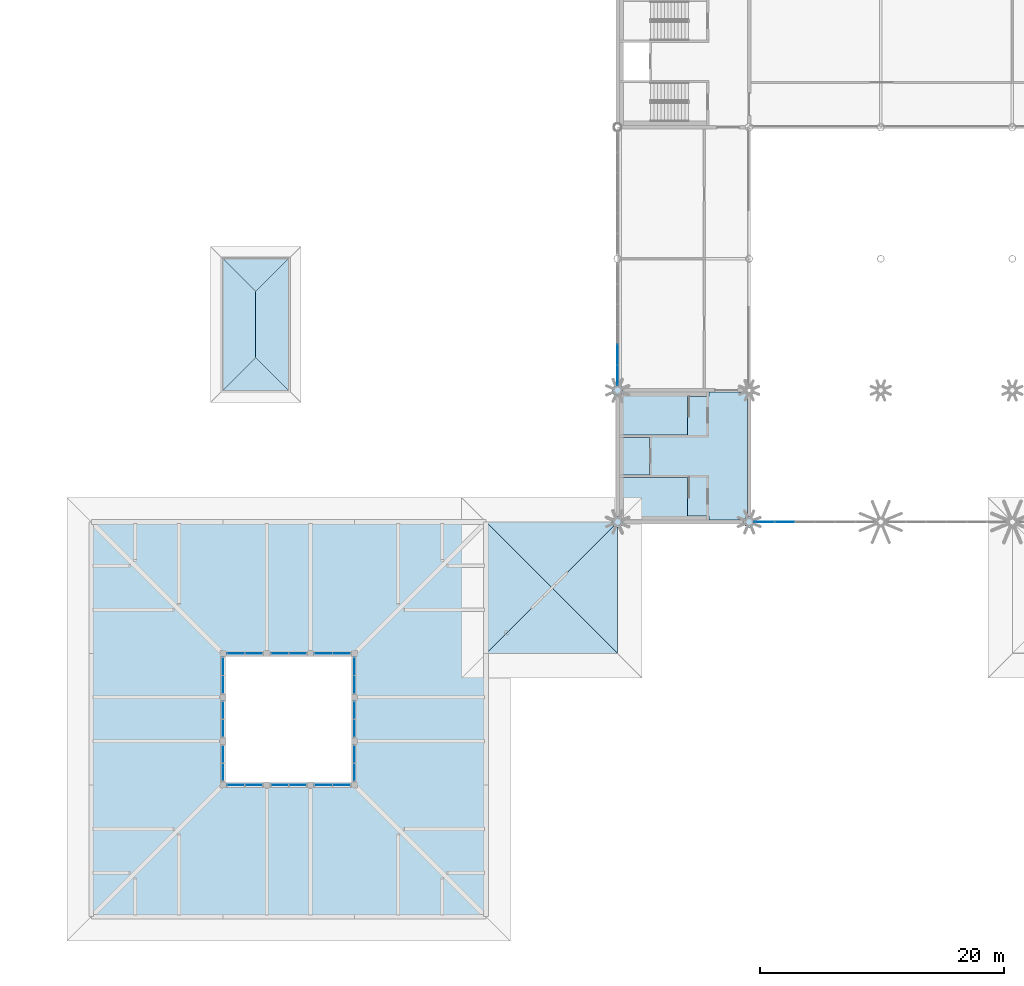
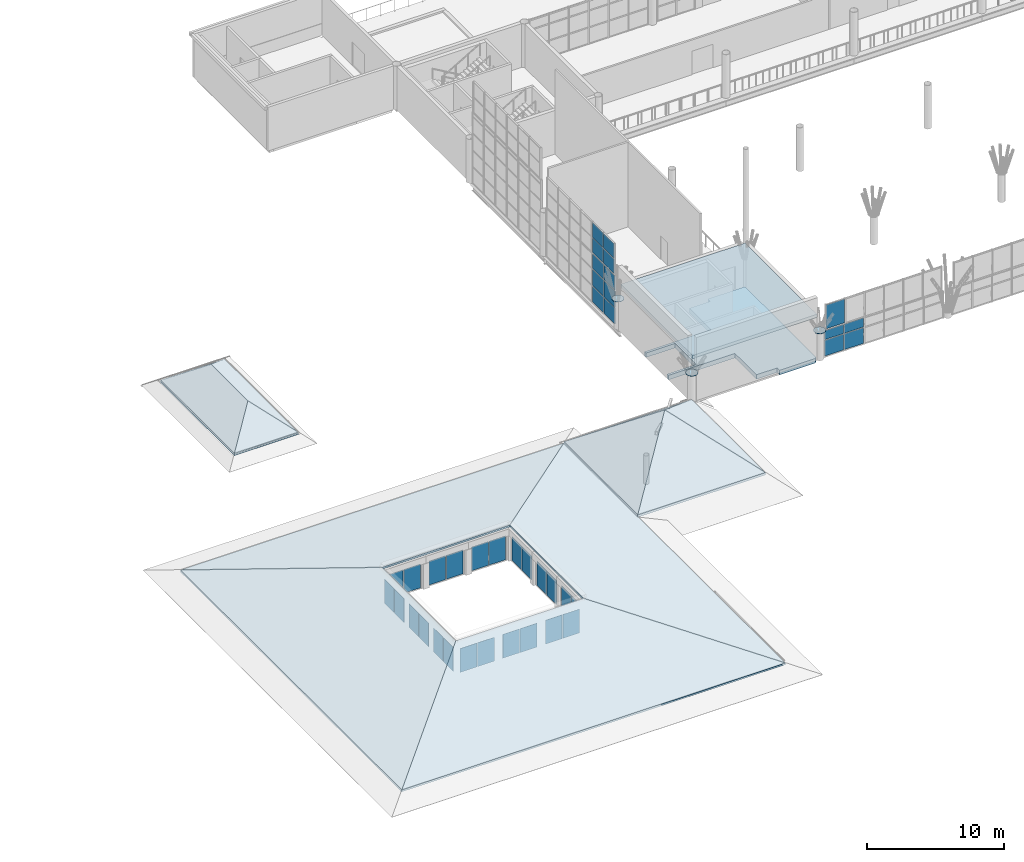
# One storey, part 46 of 95: 42 plates, 14 slabs, 16 elements without a shape of their own.
"""IFC4 building model written with IfcOpenShell, lengths in metres."""

from ifc_helpers import new_model, si_unit, direction, frame, origin, origin_2d, place, context, subcontext, project, spatial, polyline, rectangle, circle, outline, extrude, material, layer, layer_set, material_profile, profile_set, type_object, element, aggregate, save


model = new_model("IFC4")

# Units and contexts
model_context = context("Model", 3, precision=1e-05, world=origin(), true_north=direction((0.0, 1.0)))
body_context = subcontext(model_context, "Body", "Model", "MODEL_VIEW")
ifc_project = project(units=[si_unit("LENGTHUNIT", "METRE"), si_unit("AREAUNIT", "SQUARE_METRE"), si_unit("VOLUMEUNIT", "CUBIC_METRE"), si_unit("PLANEANGLEUNIT", "RADIAN"), si_unit("MASSUNIT", "GRAM", prefix="KILO")], contexts=[model_context])

# Site, building, storey
site_placement = place(None, origin())
site = spatial("IfcSite", under=ifc_project, at=site_placement, CompositionType="ELEMENT")
building_placement = place(site_placement, origin())
building = spatial("IfcBuilding", under=site, at=building_placement, Name="Magnolia Steps Interchange", CompositionType="ELEMENT")
storey_placement = place(building_placement, frame((0.0, 0.0, 4.800048828125)))
storey = spatial("IfcBuildingStorey", under=building, at=storey_placement, Name="L01", CompositionType="ELEMENT", Elevation=4.800048828125)

# Slabs
ifc_material_1 = material(Name="Concrete C35", Category="concrete")
ifc_layer_1 = layer(ifc_material_1, 0.39990234375)
ifc_layer_set_1 = layer_set([ifc_layer_1], Name="Core floor slab 400")
slab_type_1 = type_object("IfcSlabType", Name="Core floor slab 400", PredefinedType="FLOOR", material=ifc_layer_set_1)
slab_1_placement = place(storey_placement, frame((0.0, 0.0, -0.400146484375)))
element("IfcSlab", 1, at=slab_1_placement, inside=storey, type_object=slab_type_1, Name="L01 core floor HC3", PredefinedType="FLOOR", context=body_context, shape_type="SweptSolid", body=[
    extrude(outline(polyline([(58.949951171875, 42.89990234375), (58.949951171875, 46.050048828125), (53.35009765625, 46.050048828125), (53.35009765625, 46.25), (55.800048828125, 46.25), (55.800048828125, 49.35009765625), (53.35009765625, 49.35009765625), (53.35009765625, 49.550048828125), (58.949951171875, 49.550048828125), (58.949951171875, 52.699951171875), (60.699951171875, 52.699951171875), (60.699951171875, 53.050048828125), (63.764404296875, 53.050048828125), (63.767578125, 53.044677734375), (63.783935546875, 53.022705078125), (63.80224609375, 53.00244140625), (63.82275390625, 52.98388671875), (63.8447265625, 52.967529296875), (63.85009765625, 52.96435546875), (63.85009765625, 42.665283203125), (63.83056640625, 42.653564453125), (63.806396484375, 42.6357421875), (63.784423828125, 42.61572265625), (63.76416015625, 42.593505859375), (63.746337890625, 42.5693359375), (63.73486328125, 42.550048828125), (60.699951171875, 42.550048828125), (60.699951171875, 42.89990234375), (58.949951171875, 42.89990234375)])), origin(), (0.0, 0.0, 1.0), 0.400146484375),
])
ifc_material_2 = material(Name="Concrete C35", Category="concrete")
ifc_layer_2 = layer(ifc_material_2, 0.300048828125)
ifc_layer_set_2 = layer_set([ifc_layer_2], Name="Core roof slab")
slab_type_2 = type_object("IfcSlabType", Name="Core roof slab", PredefinedType="ROOF", material=ifc_layer_set_2)
slab_2_placement = place(storey_placement, frame((0.0, 0.0, 3.599853515625)))
element("IfcSlab", 2, at=slab_2_placement, inside=storey, type_object=slab_type_2, Name="HC3 core roof", PredefinedType="ROOF", context=body_context, shape_type="SweptSolid", body=[
    extrude(outline(polyline([(53.35009765625, 42.550048828125), (53.35009765625, 53.050048828125), (63.85009765625, 53.050048828125), (63.85009765625, 42.550048828125), (53.35009765625, 42.550048828125)])), origin(), (0.0, 0.0, 1.0), 0.300048828125),
])

# Curtain wall, plates
ifc_material_3 = material(Name="Powder-coated aluminium and glass", Category="aluminium")
ifc_layer_3 = layer(ifc_material_3, 0.14990234375)
ifc_layer_set_3 = layer_set([ifc_layer_3], Name="Glazed hall curtain wall")
curtain_wall_type_1 = type_object("IfcCurtainWallType", Name="Glazed hall curtain wall", PredefinedType="NOTDEFINED", material=ifc_layer_set_3)
curtain_wall_1_placement = place(storey_placement, origin())
curtain_wall_1 = element("IfcCurtainWall", 3, at=curtain_wall_1_placement, inside=storey, type_object=curtain_wall_type_1, Name="Hall glazing S2 L01", PredefinedType="NOTDEFINED")
ifc_material_4 = material(Name="Laminated glass", Category="glass")
ifc_layer_4 = layer(ifc_material_4, 0.028076171875)
ifc_layer_set_4 = layer_set([ifc_layer_4], Name="Glass panel 28")
plate_type_1 = type_object("IfcPlateType", Name="Glass panel 28", PredefinedType="CURTAIN_PANEL", material=ifc_layer_set_4)
plate_1_placement = place(storey_placement, frame((65.215087890625, 42.39990234375, 0.06005859375), z_axis=(0.0, 0.0, 1.0), x_axis=(1.0, 0.0, 0.0)))
plate_1 = element("IfcPlate", 4, at=plate_1_placement, type_object=plate_type_1, Name="CW1 panel 1.1", PredefinedType="CURTAIN_PANEL", context=body_context, shape_type="SweptSolid", body=[
    extrude(rectangle(XDim=1.590087890625, YDim=0.028076171875, at=origin_2d()), origin(), (0.0, 0.0, 1.0), 1.409912109375),
])
plate_2_placement = place(storey_placement, frame((65.215087890625, 42.39990234375, 1.530029296875), z_axis=(0.0, 0.0, 1.0), x_axis=(1.0, 0.0, 0.0)))
plate_2 = element("IfcPlate", 5, at=plate_2_placement, type_object=plate_type_1, Name="CW1 panel 1.2", PredefinedType="CURTAIN_PANEL", context=body_context, shape_type="SweptSolid", body=[
    extrude(rectangle(XDim=1.590087890625, YDim=0.028076171875, at=origin_2d()), origin(), (0.0, 0.0, 1.0), 0.81005859375),
])
plate_3_placement = place(storey_placement, frame((66.8798828125, 42.39990234375, 0.06005859375), z_axis=(0.0, 0.0, 1.0), x_axis=(1.0, 0.0, 0.0)))
plate_3 = element("IfcPlate", 6, at=plate_3_placement, type_object=plate_type_1, Name="CW1 panel 2.1", PredefinedType="CURTAIN_PANEL", context=body_context, shape_type="SweptSolid", body=[
    extrude(rectangle(XDim=1.6201171875, YDim=0.028076171875, at=origin_2d()), origin(), (0.0, 0.0, 1.0), 1.409912109375),
])
plate_4_placement = place(storey_placement, frame((66.8798828125, 42.39990234375, 1.530029296875), z_axis=(0.0, 0.0, 1.0), x_axis=(1.0, 0.0, 0.0)))
plate_4 = element("IfcPlate", 7, at=plate_4_placement, type_object=plate_type_1, Name="CW1 panel 2.2", PredefinedType="CURTAIN_PANEL", context=body_context, shape_type="SweptSolid", body=[
    extrude(rectangle(XDim=1.6201171875, YDim=0.028076171875, at=origin_2d()), origin(), (0.0, 0.0, 1.0), 0.81005859375),
])
aggregate(curtain_wall_1, [plate_1, plate_2, plate_3, plate_4])

# Curtain wall, plate
ifc_material_5 = material(Name="Powder-coated aluminium and glass", Category="aluminium")
ifc_layer_5 = layer(ifc_material_5, 0.1201171875)
ifc_layer_set_5 = layer_set([ifc_layer_5], Name="Hall clerestory curtain wall")
curtain_wall_type_2 = type_object("IfcCurtainWallType", Name="Hall clerestory curtain wall", PredefinedType="NOTDEFINED", material=ifc_layer_set_5)
curtain_wall_2_placement = place(storey_placement, origin())
curtain_wall_2 = element("IfcCurtainWall", 8, at=curtain_wall_2_placement, inside=storey, type_object=curtain_wall_type_2, Name="Hall clerestory S2", PredefinedType="NOTDEFINED")
plate_5_placement = place(storey_placement, frame((65.31494140625, 42.39990234375, 2.4599609375), z_axis=(0.0, 0.0, 1.0), x_axis=(1.0, 0.0, 0.0)))
plate_5 = element("IfcPlate", 9, at=plate_5_placement, type_object=plate_type_1, Name="CW6 panel 1.1", PredefinedType="CURTAIN_PANEL", context=body_context, shape_type="SweptSolid", body=[
    extrude(rectangle(XDim=1.550048828125, YDim=0.028076171875, at=origin_2d()), origin(), (0.0, 0.0, 1.0), 2.12890625),
])
aggregate(curtain_wall_2, [plate_5])

# Curtain wall, plates
curtain_wall_3_placement = place(storey_placement, origin())
curtain_wall_3 = element("IfcCurtainWall", 10, at=curtain_wall_3_placement, inside=storey, type_object=curtain_wall_type_1, Name="Hall glazing W2 L01", PredefinedType="NOTDEFINED")
plate_6_placement = place(storey_placement, frame((53.199951171875, 54.4150390625, 0.06005859375), z_axis=(0.0, 0.0, 1.0), x_axis=(0.0, 1.0, 0.0)))
plate_6 = element("IfcPlate", 11, at=plate_6_placement, type_object=plate_type_1, Name="CW1 panel 1.1", PredefinedType="CURTAIN_PANEL", context=body_context, shape_type="SweptSolid", body=[
    extrude(rectangle(XDim=1.590087890625, YDim=0.028076171875, at=origin_2d()), origin(), (0.0, 0.0, 1.0), 1.409912109375),
])
plate_7_placement = place(storey_placement, frame((53.199951171875, 54.4150390625, 1.530029296875), z_axis=(0.0, 0.0, 1.0), x_axis=(0.0, 1.0, 0.0)))
plate_7 = element("IfcPlate", 12, at=plate_7_placement, type_object=plate_type_1, Name="CW1 panel 1.2", PredefinedType="CURTAIN_PANEL", context=body_context, shape_type="SweptSolid", body=[
    extrude(rectangle(XDim=1.590087890625, YDim=0.028076171875, at=origin_2d()), origin(), (0.0, 0.0, 1.0), 1.43994140625),
])
plate_8_placement = place(storey_placement, frame((53.199951171875, 54.4150390625, 3.030029296875), z_axis=(0.0, 0.0, 1.0), x_axis=(0.0, 1.0, 0.0)))
plate_8 = element("IfcPlate", 13, at=plate_8_placement, type_object=plate_type_1, Name="CW1 panel 1.3", PredefinedType="CURTAIN_PANEL", context=body_context, shape_type="SweptSolid", body=[
    extrude(rectangle(XDim=1.590087890625, YDim=0.028076171875, at=origin_2d()), origin(), (0.0, 0.0, 1.0), 1.31005859375),
])
plate_9_placement = place(storey_placement, frame((53.199951171875, 56.080078125, 0.06005859375), z_axis=(0.0, 0.0, 1.0), x_axis=(0.0, 1.0, 0.0)))
plate_9 = element("IfcPlate", 14, at=plate_9_placement, type_object=plate_type_1, Name="CW1 panel 2.1", PredefinedType="CURTAIN_PANEL", context=body_context, shape_type="SweptSolid", body=[
    extrude(rectangle(XDim=1.6201171875, YDim=0.028076171875, at=origin_2d()), origin(), (0.0, 0.0, 1.0), 1.409912109375),
])
plate_10_placement = place(storey_placement, frame((53.199951171875, 56.080078125, 1.530029296875), z_axis=(0.0, 0.0, 1.0), x_axis=(0.0, 1.0, 0.0)))
plate_10 = element("IfcPlate", 15, at=plate_10_placement, type_object=plate_type_1, Name="CW1 panel 2.2", PredefinedType="CURTAIN_PANEL", context=body_context, shape_type="SweptSolid", body=[
    extrude(rectangle(XDim=1.6201171875, YDim=0.028076171875, at=origin_2d()), origin(), (0.0, 0.0, 1.0), 1.43994140625),
])
plate_11_placement = place(storey_placement, frame((53.199951171875, 56.080078125, 3.030029296875), z_axis=(0.0, 0.0, 1.0), x_axis=(0.0, 1.0, 0.0)))
plate_11 = element("IfcPlate", 16, at=plate_11_placement, type_object=plate_type_1, Name="CW1 panel 2.3", PredefinedType="CURTAIN_PANEL", context=body_context, shape_type="SweptSolid", body=[
    extrude(rectangle(XDim=1.6201171875, YDim=0.028076171875, at=origin_2d()), origin(), (0.0, 0.0, 1.0), 1.31005859375),
])
aggregate(curtain_wall_3, [plate_6, plate_7, plate_8, plate_9, plate_10, plate_11])

curtain_wall_4_placement = place(storey_placement, origin())
curtain_wall_4 = element("IfcCurtainWall", 17, at=curtain_wall_4_placement, inside=storey, type_object=curtain_wall_type_2, Name="Hall clerestory W2", PredefinedType="NOTDEFINED")
plate_12_placement = place(storey_placement, frame((53.199951171875, 54.514892578125, 4.4599609375), z_axis=(0.0, 0.0, 1.0), x_axis=(0.0, 1.0, 0.0)))
plate_12 = element("IfcPlate", 18, at=plate_12_placement, type_object=plate_type_1, Name="CW6 panel 1.1", PredefinedType="CURTAIN_PANEL", context=body_context, shape_type="SweptSolid", body=[
    extrude(rectangle(XDim=1.550048828125, YDim=0.028076171875, at=origin_2d()), origin(), (0.0, 0.0, 1.0), 1.31005859375),
])
plate_13_placement = place(storey_placement, frame((53.199951171875, 54.514892578125, 5.829833984375), z_axis=(0.0, 0.0, 1.0), x_axis=(0.0, 1.0, 0.0)))
plate_13 = element("IfcPlate", 19, at=plate_13_placement, type_object=plate_type_1, Name="CW6 panel 1.2", PredefinedType="CURTAIN_PANEL", context=body_context, shape_type="SweptSolid", body=[
    extrude(rectangle(XDim=1.550048828125, YDim=0.028076171875, at=origin_2d()), origin(), (0.0, 0.0, 1.0), 1.31005859375),
])
plate_14_placement = place(storey_placement, frame((53.199951171875, 56.139892578125, 4.4599609375), z_axis=(0.0, 0.0, 1.0), x_axis=(0.0, 1.0, 0.0)))
plate_14 = element("IfcPlate", 20, at=plate_14_placement, type_object=plate_type_1, Name="CW6 panel 2.1", PredefinedType="CURTAIN_PANEL", context=body_context, shape_type="SweptSolid", body=[
    extrude(rectangle(XDim=1.580078125, YDim=0.028076171875, at=origin_2d()), origin(), (0.0, 0.0, 1.0), 1.31005859375),
])
plate_15_placement = place(storey_placement, frame((53.199951171875, 56.139892578125, 5.829833984375), z_axis=(0.0, 0.0, 1.0), x_axis=(0.0, 1.0, 0.0)))
plate_15 = element("IfcPlate", 21, at=plate_15_placement, type_object=plate_type_1, Name="CW6 panel 2.2", PredefinedType="CURTAIN_PANEL", context=body_context, shape_type="SweptSolid", body=[
    extrude(rectangle(XDim=1.580078125, YDim=0.028076171875, at=origin_2d()), origin(), (0.0, 0.0, 1.0), 1.31005859375),
])
aggregate(curtain_wall_4, [plate_12, plate_13, plate_14, plate_15])

ifc_material_6 = material(Name="Timber-framed glazing", Category="wood")
ifc_layer_6 = layer(ifc_material_6, 0.10009765625)
ifc_layer_set_6 = layer_set([ifc_layer_6], Name="Patio clerestory curtain wall")
curtain_wall_type_3 = type_object("IfcCurtainWallType", Name="Patio clerestory curtain wall", PredefinedType="NOTDEFINED", material=ifc_layer_set_6)
curtain_wall_5_placement = place(storey_placement, origin())
curtain_wall_5 = element("IfcCurtainWall", 22, at=curtain_wall_5_placement, inside=storey, type_object=curtain_wall_type_3, Name="Patio clerestory glazing S1", PredefinedType="NOTDEFINED")
plate_16_placement = place(storey_placement, frame((21.864990234375, 20.800048828125, 0.06005859375), z_axis=(0.0, 0.0, 1.0), x_axis=(1.0, 0.0, 0.0)))
plate_16 = element("IfcPlate", 23, at=plate_16_placement, type_object=plate_type_1, Name="CW4 panel 1.1", PredefinedType="CURTAIN_PANEL", context=body_context, shape_type="SweptSolid", body=[
    extrude(rectangle(XDim=1.409912109375, YDim=0.028076171875, at=origin_2d()), origin(), (0.0, 0.0, 1.0), 2.1298828125),
])
plate_17_placement = place(storey_placement, frame((23.3349609375, 20.800048828125, 0.06005859375), z_axis=(0.0, 0.0, 1.0), x_axis=(1.0, 0.0, 0.0)))
plate_17 = element("IfcPlate", 24, at=plate_17_placement, type_object=plate_type_1, Name="CW4 panel 2.1", PredefinedType="CURTAIN_PANEL", context=body_context, shape_type="SweptSolid", body=[
    extrude(rectangle(XDim=1.409912109375, YDim=0.028076171875, at=origin_2d()), origin(), (0.0, 0.0, 1.0), 2.1298828125),
])
aggregate(curtain_wall_5, [plate_16, plate_17])

curtain_wall_6_placement = place(storey_placement, origin())
curtain_wall_6 = element("IfcCurtainWall", 25, at=curtain_wall_6_placement, inside=storey, type_object=curtain_wall_type_3, Name="Patio clerestory glazing S2", PredefinedType="NOTDEFINED")
plate_18_placement = place(storey_placement, frame((25.465087890625, 20.800048828125, 0.06005859375), z_axis=(0.0, 0.0, 1.0), x_axis=(1.0, 0.0, 0.0)))
plate_18 = element("IfcPlate", 26, at=plate_18_placement, type_object=plate_type_1, Name="CW4 panel 1.1", PredefinedType="CURTAIN_PANEL", context=body_context, shape_type="SweptSolid", body=[
    extrude(rectangle(XDim=1.409912109375, YDim=0.028076171875, at=origin_2d()), origin(), (0.0, 0.0, 1.0), 2.1298828125),
])
plate_19_placement = place(storey_placement, frame((26.93505859375, 20.800048828125, 0.06005859375), z_axis=(0.0, 0.0, 1.0), x_axis=(1.0, 0.0, 0.0)))
plate_19 = element("IfcPlate", 27, at=plate_19_placement, type_object=plate_type_1, Name="CW4 panel 2.1", PredefinedType="CURTAIN_PANEL", context=body_context, shape_type="SweptSolid", body=[
    extrude(rectangle(XDim=1.409912109375, YDim=0.028076171875, at=origin_2d()), origin(), (0.0, 0.0, 1.0), 2.1298828125),
])
aggregate(curtain_wall_6, [plate_18, plate_19])

curtain_wall_7_placement = place(storey_placement, origin())
curtain_wall_7 = element("IfcCurtainWall", 28, at=curtain_wall_7_placement, inside=storey, type_object=curtain_wall_type_3, Name="Patio clerestory glazing S3", PredefinedType="NOTDEFINED")
plate_20_placement = place(storey_placement, frame((29.06494140625, 20.800048828125, 0.06005859375), z_axis=(0.0, 0.0, 1.0), x_axis=(1.0, 0.0, 0.0)))
plate_20 = element("IfcPlate", 29, at=plate_20_placement, type_object=plate_type_1, Name="CW4 panel 1.1", PredefinedType="CURTAIN_PANEL", context=body_context, shape_type="SweptSolid", body=[
    extrude(rectangle(XDim=1.409912109375, YDim=0.028076171875, at=origin_2d()), origin(), (0.0, 0.0, 1.0), 2.1298828125),
])
plate_21_placement = place(storey_placement, frame((30.534912109375, 20.800048828125, 0.06005859375), z_axis=(0.0, 0.0, 1.0), x_axis=(1.0, 0.0, 0.0)))
plate_21 = element("IfcPlate", 30, at=plate_21_placement, type_object=plate_type_1, Name="CW4 panel 2.1", PredefinedType="CURTAIN_PANEL", context=body_context, shape_type="SweptSolid", body=[
    extrude(rectangle(XDim=1.409912109375, YDim=0.028076171875, at=origin_2d()), origin(), (0.0, 0.0, 1.0), 2.1298828125),
])
aggregate(curtain_wall_7, [plate_20, plate_21])

curtain_wall_8_placement = place(storey_placement, origin())
curtain_wall_8 = element("IfcCurtainWall", 31, at=curtain_wall_8_placement, inside=storey, type_object=curtain_wall_type_3, Name="Patio clerestory glazing E1", PredefinedType="NOTDEFINED")
plate_22_placement = place(storey_placement, frame((31.60009765625, 21.864990234375, 0.06005859375), z_axis=(0.0, 0.0, 1.0), x_axis=(0.0, 1.0, 0.0)))
plate_22 = element("IfcPlate", 32, at=plate_22_placement, type_object=plate_type_1, Name="CW4 panel 1.1", PredefinedType="CURTAIN_PANEL", context=body_context, shape_type="SweptSolid", body=[
    extrude(rectangle(XDim=1.409912109375, YDim=0.028076171875, at=origin_2d()), origin(), (0.0, 0.0, 1.0), 2.1298828125),
])
plate_23_placement = place(storey_placement, frame((31.60009765625, 23.3349609375, 0.06005859375), z_axis=(0.0, 0.0, 1.0), x_axis=(0.0, 1.0, 0.0)))
plate_23 = element("IfcPlate", 33, at=plate_23_placement, type_object=plate_type_1, Name="CW4 panel 2.1", PredefinedType="CURTAIN_PANEL", context=body_context, shape_type="SweptSolid", body=[
    extrude(rectangle(XDim=1.409912109375, YDim=0.028076171875, at=origin_2d()), origin(), (0.0, 0.0, 1.0), 2.1298828125),
])
aggregate(curtain_wall_8, [plate_22, plate_23])

curtain_wall_9_placement = place(storey_placement, origin())
curtain_wall_9 = element("IfcCurtainWall", 34, at=curtain_wall_9_placement, inside=storey, type_object=curtain_wall_type_3, Name="Patio clerestory glazing E2", PredefinedType="NOTDEFINED")
plate_24_placement = place(storey_placement, frame((31.60009765625, 25.465087890625, 0.06005859375), z_axis=(0.0, 0.0, 1.0), x_axis=(0.0, 1.0, 0.0)))
plate_24 = element("IfcPlate", 35, at=plate_24_placement, type_object=plate_type_1, Name="CW4 panel 1.1", PredefinedType="CURTAIN_PANEL", context=body_context, shape_type="SweptSolid", body=[
    extrude(rectangle(XDim=1.409912109375, YDim=0.028076171875, at=origin_2d()), origin(), (0.0, 0.0, 1.0), 2.1298828125),
])
plate_25_placement = place(storey_placement, frame((31.60009765625, 26.93505859375, 0.06005859375), z_axis=(0.0, 0.0, 1.0), x_axis=(0.0, 1.0, 0.0)))
plate_25 = element("IfcPlate", 36, at=plate_25_placement, type_object=plate_type_1, Name="CW4 panel 2.1", PredefinedType="CURTAIN_PANEL", context=body_context, shape_type="SweptSolid", body=[
    extrude(rectangle(XDim=1.409912109375, YDim=0.028076171875, at=origin_2d()), origin(), (0.0, 0.0, 1.0), 2.1298828125),
])
aggregate(curtain_wall_9, [plate_24, plate_25])

curtain_wall_10_placement = place(storey_placement, origin())
curtain_wall_10 = element("IfcCurtainWall", 37, at=curtain_wall_10_placement, inside=storey, type_object=curtain_wall_type_3, Name="Patio clerestory glazing E3", PredefinedType="NOTDEFINED")
plate_26_placement = place(storey_placement, frame((31.60009765625, 29.06494140625, 0.06005859375), z_axis=(0.0, 0.0, 1.0), x_axis=(0.0, 1.0, 0.0)))
plate_26 = element("IfcPlate", 38, at=plate_26_placement, type_object=plate_type_1, Name="CW4 panel 1.1", PredefinedType="CURTAIN_PANEL", context=body_context, shape_type="SweptSolid", body=[
    extrude(rectangle(XDim=1.409912109375, YDim=0.028076171875, at=origin_2d()), origin(), (0.0, 0.0, 1.0), 2.1298828125),
])
plate_27_placement = place(storey_placement, frame((31.60009765625, 30.534912109375, 0.06005859375), z_axis=(0.0, 0.0, 1.0), x_axis=(0.0, 1.0, 0.0)))
plate_27 = element("IfcPlate", 39, at=plate_27_placement, type_object=plate_type_1, Name="CW4 panel 2.1", PredefinedType="CURTAIN_PANEL", context=body_context, shape_type="SweptSolid", body=[
    extrude(rectangle(XDim=1.409912109375, YDim=0.028076171875, at=origin_2d()), origin(), (0.0, 0.0, 1.0), 2.1298828125),
])
aggregate(curtain_wall_10, [plate_26, plate_27])

curtain_wall_11_placement = place(storey_placement, origin())
curtain_wall_11 = element("IfcCurtainWall", 40, at=curtain_wall_11_placement, inside=storey, type_object=curtain_wall_type_3, Name="Patio clerestory glazing N1", PredefinedType="NOTDEFINED")
plate_28_placement = place(storey_placement, frame((30.534912109375, 31.60009765625, 0.06005859375), z_axis=(0.0, 0.0, 1.0), x_axis=(-1.0, 0.0, 0.0)))
plate_28 = element("IfcPlate", 41, at=plate_28_placement, type_object=plate_type_1, Name="CW4 panel 1.1", PredefinedType="CURTAIN_PANEL", context=body_context, shape_type="SweptSolid", body=[
    extrude(rectangle(XDim=1.409912109375, YDim=0.028076171875, at=origin_2d()), origin(), (0.0, 0.0, 1.0), 2.1298828125),
])
plate_29_placement = place(storey_placement, frame((29.06494140625, 31.60009765625, 0.06005859375), z_axis=(0.0, 0.0, 1.0), x_axis=(-1.0, 0.0, 0.0)))
plate_29 = element("IfcPlate", 42, at=plate_29_placement, type_object=plate_type_1, Name="CW4 panel 2.1", PredefinedType="CURTAIN_PANEL", context=body_context, shape_type="SweptSolid", body=[
    extrude(rectangle(XDim=1.409912109375, YDim=0.028076171875, at=origin_2d()), origin(), (0.0, 0.0, 1.0), 2.1298828125),
])
aggregate(curtain_wall_11, [plate_28, plate_29])

curtain_wall_12_placement = place(storey_placement, origin())
curtain_wall_12 = element("IfcCurtainWall", 43, at=curtain_wall_12_placement, inside=storey, type_object=curtain_wall_type_3, Name="Patio clerestory glazing N2", PredefinedType="NOTDEFINED")
plate_30_placement = place(storey_placement, frame((26.93505859375, 31.60009765625, 0.06005859375), z_axis=(0.0, 0.0, 1.0), x_axis=(-1.0, 0.0, 0.0)))
plate_30 = element("IfcPlate", 44, at=plate_30_placement, type_object=plate_type_1, Name="CW4 panel 1.1", PredefinedType="CURTAIN_PANEL", context=body_context, shape_type="SweptSolid", body=[
    extrude(rectangle(XDim=1.409912109375, YDim=0.028076171875, at=origin_2d()), origin(), (0.0, 0.0, 1.0), 2.1298828125),
])
plate_31_placement = place(storey_placement, frame((25.465087890625, 31.60009765625, 0.06005859375), z_axis=(0.0, 0.0, 1.0), x_axis=(-1.0, 0.0, 0.0)))
plate_31 = element("IfcPlate", 45, at=plate_31_placement, type_object=plate_type_1, Name="CW4 panel 2.1", PredefinedType="CURTAIN_PANEL", context=body_context, shape_type="SweptSolid", body=[
    extrude(rectangle(XDim=1.409912109375, YDim=0.028076171875, at=origin_2d()), origin(), (0.0, 0.0, 1.0), 2.1298828125),
])
aggregate(curtain_wall_12, [plate_30, plate_31])

curtain_wall_13_placement = place(storey_placement, origin())
curtain_wall_13 = element("IfcCurtainWall", 46, at=curtain_wall_13_placement, inside=storey, type_object=curtain_wall_type_3, Name="Patio clerestory glazing N3", PredefinedType="NOTDEFINED")
plate_32_placement = place(storey_placement, frame((23.3349609375, 31.60009765625, 0.06005859375), z_axis=(0.0, 0.0, 1.0), x_axis=(-1.0, 0.0, 0.0)))
plate_32 = element("IfcPlate", 47, at=plate_32_placement, type_object=plate_type_1, Name="CW4 panel 1.1", PredefinedType="CURTAIN_PANEL", context=body_context, shape_type="SweptSolid", body=[
    extrude(rectangle(XDim=1.409912109375, YDim=0.028076171875, at=origin_2d()), origin(), (0.0, 0.0, 1.0), 2.1298828125),
])
plate_33_placement = place(storey_placement, frame((21.864990234375, 31.60009765625, 0.06005859375), z_axis=(0.0, 0.0, 1.0), x_axis=(-1.0, 0.0, 0.0)))
plate_33 = element("IfcPlate", 48, at=plate_33_placement, type_object=plate_type_1, Name="CW4 panel 2.1", PredefinedType="CURTAIN_PANEL", context=body_context, shape_type="SweptSolid", body=[
    extrude(rectangle(XDim=1.409912109375, YDim=0.028076171875, at=origin_2d()), origin(), (0.0, 0.0, 1.0), 2.1298828125),
])
aggregate(curtain_wall_13, [plate_32, plate_33])

curtain_wall_14_placement = place(storey_placement, origin())
curtain_wall_14 = element("IfcCurtainWall", 49, at=curtain_wall_14_placement, inside=storey, type_object=curtain_wall_type_3, Name="Patio clerestory glazing W1", PredefinedType="NOTDEFINED")
plate_34_placement = place(storey_placement, frame((20.800048828125, 30.534912109375, 0.06005859375), z_axis=(0.0, 0.0, 1.0), x_axis=(0.0, -1.0, 0.0)))
plate_34 = element("IfcPlate", 50, at=plate_34_placement, type_object=plate_type_1, Name="CW4 panel 1.1", PredefinedType="CURTAIN_PANEL", context=body_context, shape_type="SweptSolid", body=[
    extrude(rectangle(XDim=1.409912109375, YDim=0.028076171875, at=origin_2d()), origin(), (0.0, 0.0, 1.0), 2.1298828125),
])
plate_35_placement = place(storey_placement, frame((20.800048828125, 29.06494140625, 0.06005859375), z_axis=(0.0, 0.0, 1.0), x_axis=(0.0, -1.0, 0.0)))
plate_35 = element("IfcPlate", 51, at=plate_35_placement, type_object=plate_type_1, Name="CW4 panel 2.1", PredefinedType="CURTAIN_PANEL", context=body_context, shape_type="SweptSolid", body=[
    extrude(rectangle(XDim=1.409912109375, YDim=0.028076171875, at=origin_2d()), origin(), (0.0, 0.0, 1.0), 2.1298828125),
])
aggregate(curtain_wall_14, [plate_34, plate_35])

curtain_wall_15_placement = place(storey_placement, origin())
curtain_wall_15 = element("IfcCurtainWall", 52, at=curtain_wall_15_placement, inside=storey, type_object=curtain_wall_type_3, Name="Patio clerestory glazing W2", PredefinedType="NOTDEFINED")
plate_36_placement = place(storey_placement, frame((20.800048828125, 26.93505859375, 0.06005859375), z_axis=(0.0, 0.0, 1.0), x_axis=(0.0, -1.0, 0.0)))
plate_36 = element("IfcPlate", 53, at=plate_36_placement, type_object=plate_type_1, Name="CW4 panel 1.1", PredefinedType="CURTAIN_PANEL", context=body_context, shape_type="SweptSolid", body=[
    extrude(rectangle(XDim=1.409912109375, YDim=0.028076171875, at=origin_2d()), origin(), (0.0, 0.0, 1.0), 2.1298828125),
])
plate_37_placement = place(storey_placement, frame((20.800048828125, 25.465087890625, 0.06005859375), z_axis=(0.0, 0.0, 1.0), x_axis=(0.0, -1.0, 0.0)))
plate_37 = element("IfcPlate", 54, at=plate_37_placement, type_object=plate_type_1, Name="CW4 panel 2.1", PredefinedType="CURTAIN_PANEL", context=body_context, shape_type="SweptSolid", body=[
    extrude(rectangle(XDim=1.409912109375, YDim=0.028076171875, at=origin_2d()), origin(), (0.0, 0.0, 1.0), 2.1298828125),
])
aggregate(curtain_wall_15, [plate_36, plate_37])

curtain_wall_16_placement = place(storey_placement, origin())
curtain_wall_16 = element("IfcCurtainWall", 55, at=curtain_wall_16_placement, inside=storey, type_object=curtain_wall_type_3, Name="Patio clerestory glazing W3", PredefinedType="NOTDEFINED")
plate_38_placement = place(storey_placement, frame((20.800048828125, 23.3349609375, 0.06005859375), z_axis=(0.0, 0.0, 1.0), x_axis=(0.0, -1.0, 0.0)))
plate_38 = element("IfcPlate", 56, at=plate_38_placement, type_object=plate_type_1, Name="CW4 panel 1.1", PredefinedType="CURTAIN_PANEL", context=body_context, shape_type="SweptSolid", body=[
    extrude(rectangle(XDim=1.409912109375, YDim=0.028076171875, at=origin_2d()), origin(), (0.0, 0.0, 1.0), 2.1298828125),
])
plate_39_placement = place(storey_placement, frame((20.800048828125, 21.864990234375, 0.06005859375), z_axis=(0.0, 0.0, 1.0), x_axis=(0.0, -1.0, 0.0)))
plate_39 = element("IfcPlate", 57, at=plate_39_placement, type_object=plate_type_1, Name="CW4 panel 2.1", PredefinedType="CURTAIN_PANEL", context=body_context, shape_type="SweptSolid", body=[
    extrude(rectangle(XDim=1.409912109375, YDim=0.028076171875, at=origin_2d()), origin(), (0.0, 0.0, 1.0), 2.1298828125),
])
aggregate(curtain_wall_16, [plate_38, plate_39])

# Slabs
ifc_material_7 = material(Name="Concrete C40", Category="concrete")
ifc_layer_7 = layer(ifc_material_7, 0.14990234375)
ifc_layer_set_7 = layer_set([ifc_layer_7], Name="Hip roof slab 150")
slab_type_3 = type_object("IfcSlabType", Name="Hip roof slab 150", PredefinedType="ROOF", material=ifc_layer_set_7)
slab_3_placement = place(storey_placement, frame((10.0, 10.0, 0.0), z_axis=(0.0, -0.26764274042, 0.963518221675), x_axis=(1.0, 0.0, 0.0)))
element("IfcSlab", 58, at=slab_3_placement, inside=storey, type_object=slab_type_3, Name="Cycle hub hip roof S", PredefinedType="ROOF", context=body_context, shape_type="SweptSolid", body=[
    extrude(outline(polyline([(0.0, 0.0), (32.399902344, 0.0), (21.600097656, 11.208972062), (10.800048828, 11.208972062), (0.0, 0.0)])), origin(), (0.0, -0.26764274042, -0.963518221675), 0.15576171875),
])
slab_4_placement = place(storey_placement, frame((42.39990234375, 10.0, 0.0), z_axis=(0.267648357342, 0.0, 0.963516661409), x_axis=(0.0, 1.0, 0.0)))
element("IfcSlab", 59, at=slab_4_placement, inside=storey, type_object=slab_type_3, Name="Cycle hub hip roof E", PredefinedType="ROOF", context=body_context, shape_type="SweptSolid", body=[
    extrude(outline(polyline([(0.0, 0.0), (32.399902344, 0.0), (21.600097656, 11.208736828), (10.800048828, 11.208736828), (0.0, 0.0)])), origin(), (0.0, -0.267648357342, -0.963516661409), 0.15576171875),
])
slab_5_placement = place(storey_placement, frame((42.39990234375, 42.39990234375, 0.0), z_axis=(0.0, 0.267648357342, 0.963516661409), x_axis=(-1.0, 0.0, 0.0)))
element("IfcSlab", 60, at=slab_5_placement, inside=storey, type_object=slab_type_3, Name="Cycle hub hip roof N", PredefinedType="ROOF", context=body_context, shape_type="SweptSolid", body=[
    extrude(outline(polyline([(0.0, 0.0), (32.399902344, 0.0), (21.599853516, 11.208736828), (10.799804688, 11.208736828), (0.0, 0.0)])), origin(), (0.0, -0.267648357342, -0.963516661409), 0.15576171875),
])
slab_6_placement = place(storey_placement, frame((10.0, 42.39990234375, 0.0), z_axis=(-0.26764274042, 0.0, 0.963518221675), x_axis=(0.0, -1.0, 0.0)))
element("IfcSlab", 61, at=slab_6_placement, inside=storey, type_object=slab_type_3, Name="Cycle hub hip roof W", PredefinedType="ROOF", context=body_context, shape_type="SweptSolid", body=[
    extrude(outline(polyline([(0.0, 0.0), (32.399902344, 0.0), (21.599853516, 11.208972062), (10.799804688, 11.208972062), (0.0, 0.0)])), origin(), (0.0, -0.26764274042, -0.963518221675), 0.15576171875),
])
ifc_material_8 = material(Name="Concrete C40", Category="concrete")
ifc_layer_8 = layer(ifc_material_8, 0.14990234375)
ifc_layer_set_8 = layer_set([ifc_layer_8], Name="Pavilion roof slab 150")
slab_type_4 = type_object("IfcSlabType", Name="Pavilion roof slab 150", PredefinedType="ROOF", material=ifc_layer_set_8)
for number, where, z_axis, x_axis, name in (
    (62, (26.199951171875, 53.199951171875, 0.07763671875), (0.615695200943, 0.0, 0.787984403105), (0.0, 1.0, 0.0), "Pavilion roof slab BE-W 1"),
    (63, (20.800048828125, 64.0, 0.07763671875), (-0.615695200943, 0.0, 0.787984403105), (0.0, -1.0, 0.0), "Pavilion roof slab BE-W 2"),
):
    element("IfcSlab", number, at=place(storey_placement, frame(where, z_axis=z_axis, x_axis=x_axis)), inside=storey, type_object=slab_type_4, Name=name, PredefinedType="ROOF", context=body_context, shape_type="SweptSolid", body=[
        extrude(outline(polyline([(0.0, 0.0), (10.800048828, 0.0), (8.100097656, 3.426401793), (2.699951172, 3.426401793), (0.0, 0.0)])), origin(), (0.0, -0.615695200943, -0.787984403105), 0.1904296875),
    ])
for number, where, z_axis, x_axis, name in (
    (64, (20.800048828125, 53.199951171875, 0.07763671875), (0.0, -0.615695200943, 0.787984403105), (1.0, 0.0, 0.0), "Pavilion roof slab BE-W 3"),
    (65, (26.199951171875, 64.0, 0.07763671875), (0.0, 0.615695200943, 0.787984403105), (-1.0, 0.0, 0.0), "Pavilion roof slab BE-W 4"),
):
    element("IfcSlab", number, at=place(storey_placement, frame(where, z_axis=z_axis, x_axis=x_axis)), inside=storey, type_object=slab_type_4, Name=name, PredefinedType="ROOF", context=body_context, shape_type="SweptSolid", body=[
        extrude(outline(polyline([(0.0, 0.0), (5.399902344, 0.0), (2.699951172, 3.426401793), (0.0, 0.0)])), origin(), (0.0, -0.615695200943, -0.787984403105), 0.1904296875),
    ])
slab_7_placement = place(storey_placement, frame((42.39990234375, 31.60009765625, 0.1181640625), z_axis=(0.0, -0.6156730791, 0.788001687607), x_axis=(1.0, 0.0, 0.0)))
element("IfcSlab", 66, at=slab_7_placement, inside=storey, type_object=slab_type_4, Name="Pavilion roof slab BC1 1", PredefinedType="ROOF", context=body_context, shape_type="SweptSolid", body=[
    extrude(outline(polyline([(0.0, 0.0), (10.800048828, 0.0), (5.400146484, 6.852653273), (0.0, 0.0)])), origin(), (0.0, -0.6156730791, -0.788001687607), 0.1904296875),
])
slab_8_placement = place(storey_placement, frame((53.199951171875, 42.39990234375, 0.1181640625), z_axis=(0.0, 0.6156730791, 0.788001687607), x_axis=(-1.0, 0.0, 0.0)))
element("IfcSlab", 67, at=slab_8_placement, inside=storey, type_object=slab_type_4, Name="Pavilion roof slab BC1 2", PredefinedType="ROOF", context=body_context, shape_type="SweptSolid", body=[
    extrude(outline(polyline([(0.0, 0.0), (10.800048828, 0.0), (5.399902344, 6.852653273), (0.0, 0.0)])), origin(), (0.0, -0.6156730791, -0.788001687607), 0.1904296875),
])
slab_9_placement = place(storey_placement, frame((42.39990234375, 42.39990234375, 0.1181640625), z_axis=(-0.615655794866, 0.0, 0.788015191635), x_axis=(0.0, -1.0, 0.0)))
element("IfcSlab", 68, at=slab_9_placement, inside=storey, type_object=slab_type_4, Name="Pavilion roof slab BC1 3", PredefinedType="ROOF", context=body_context, shape_type="SweptSolid", body=[
    extrude(outline(polyline([(0.0, 0.0), (10.799804688, 0.0), (5.399902344, 6.852845658), (0.0, 0.0)])), origin(), (0.0, -0.615655794866, -0.788015191635), 0.1904296875),
])
slab_10_placement = place(storey_placement, frame((53.199951171875, 31.60009765625, 0.1181640625), z_axis=(0.6156730791, 0.0, 0.788001687607), x_axis=(0.0, 1.0, 0.0)))
element("IfcSlab", 69, at=slab_10_placement, inside=storey, type_object=slab_type_4, Name="Pavilion roof slab BC1 4", PredefinedType="ROOF", context=body_context, shape_type="SweptSolid", body=[
    extrude(outline(polyline([(0.0, 0.0), (10.799804688, 0.0), (5.399902344, 6.852653273), (0.0, 0.0)])), origin(), (0.0, -0.6156730791, -0.788001687607), 0.1904296875),
])

# Plates
ifc_material_9 = material(Name="Steel Q355B", Category="steel")
ifc_material_profile = material_profile(ifc_material_9, circle(Radius=0.449951171875, at=origin_2d()), Name="Tree head plate 900 x 30")
ifc_profile_set = profile_set([ifc_material_profile], Name="Steel Q355B")
plate_type_2 = type_object("IfcPlateType", Name="Tree head plate 900 x 30", PredefinedType="SHEET", material=ifc_profile_set)
plate_40_placement = place(storey_placement, frame((53.199951171875, 42.39990234375, 2.489990234375), z_axis=(0.0, 0.0, 1.0), x_axis=(1.0, 0.0, 0.0)))
element("IfcPlate", 70, at=plate_40_placement, inside=storey, type_object=plate_type_2, Name="Tree head plate TH01A", PredefinedType="SHEET", context=body_context, shape_type="SweptSolid", body=[
    extrude(circle(Radius=0.449951171875, at=origin_2d()), origin(), (0.0, 0.0, 1.0), 0.030029296875),
])
plate_41_placement = place(storey_placement, frame((53.199951171875, 53.199951171875, 2.564453125), z_axis=(0.0, 0.0, 1.0), x_axis=(1.0, 0.0, 0.0)))
element("IfcPlate", 71, at=plate_41_placement, inside=storey, type_object=plate_type_2, Name="Tree head plate TH01B", PredefinedType="SHEET", context=body_context, shape_type="SweptSolid", body=[
    extrude(circle(Radius=0.449951171875, at=origin_2d()), origin(), (0.0, 0.0, 1.0), 0.02978515625),
])
plate_42_placement = place(storey_placement, frame((64.0, 42.39990234375, 2.489990234375), z_axis=(0.0, 0.0, 1.0), x_axis=(1.0, 0.0, 0.0)))
element("IfcPlate", 72, at=plate_42_placement, inside=storey, type_object=plate_type_2, Name="Tree head plate TH02A", PredefinedType="SHEET", context=body_context, shape_type="SweptSolid", body=[
    extrude(circle(Radius=0.449951171875, at=origin_2d()), origin(), (0.0, 0.0, 1.0), 0.030029296875),
])

save(model, "model.ifc")
